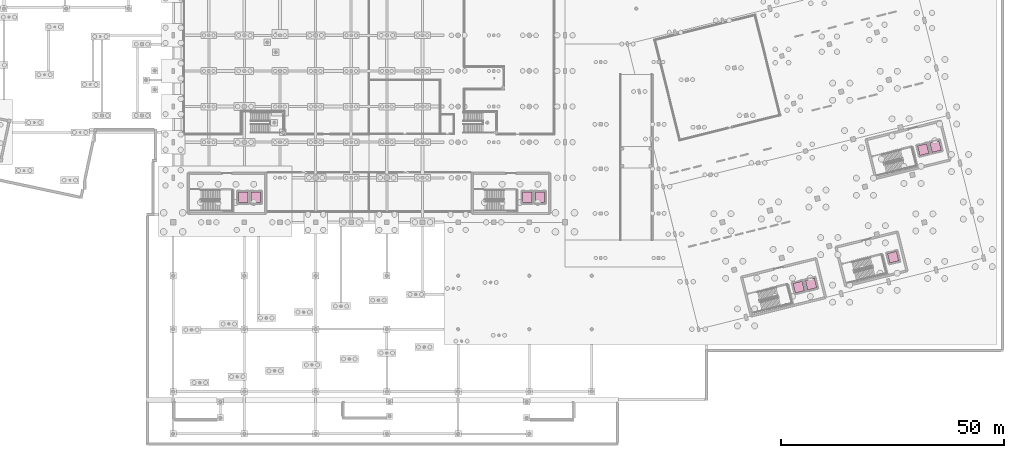
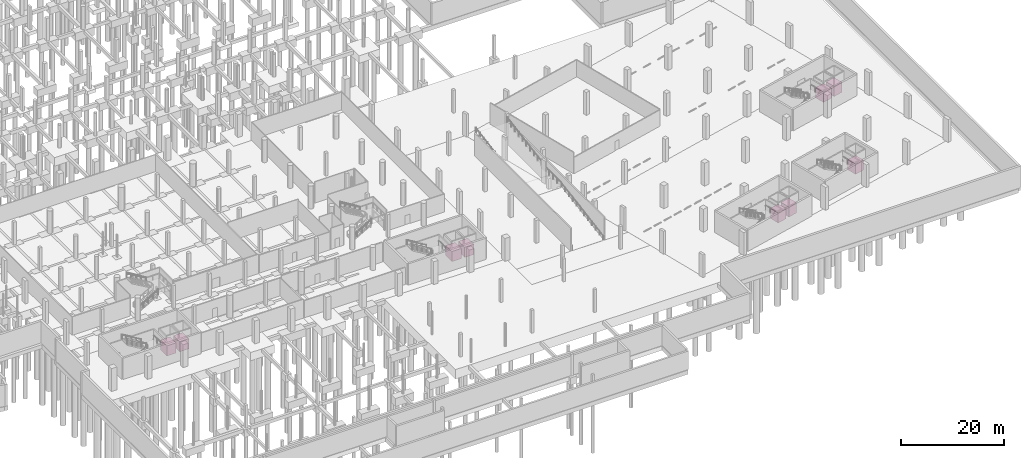
# One storey, part 65 of 65: 9 transport elements.
"""IFC4 building model written with IfcOpenShell, lengths in metres."""

from ifc_helpers import new_model, si_unit, direction, frame, origin, origin_2d, place, context, subcontext, project, spatial, rectangle, extrude, material, type_object, element, save


model = new_model("IFC4")

# Units and contexts
model_context = context("Model", 3, precision=1e-05, world=origin(), true_north=direction((0.0, 1.0)))
body_context = subcontext(model_context, "Body", "Model", "MODEL_VIEW")
ifc_project = project(units=[si_unit("LENGTHUNIT", "METRE"), si_unit("AREAUNIT", "SQUARE_METRE"), si_unit("VOLUMEUNIT", "CUBIC_METRE"), si_unit("PLANEANGLEUNIT", "RADIAN"), si_unit("MASSUNIT", "GRAM", prefix="KILO")], contexts=[model_context])

# Site, building, storey
site_placement = place(None, origin())
site = spatial("IfcSite", under=ifc_project, at=site_placement, CompositionType="ELEMENT")
building_placement = place(site_placement, origin())
building = spatial("IfcBuilding", under=site, at=building_placement, Name="Khorjan Park Terminus", CompositionType="ELEMENT")
storey_placement = place(building_placement, frame((0.0, 0.0, -5.4)))
storey = spatial("IfcBuildingStorey", under=building, at=storey_placement, Name="B1", CompositionType="ELEMENT", Elevation=-5.4)

# Transport elements
ifc_material_1 = material(Name="Fire-Rated Stainless Steel", Category="steel")
transport_element_type_1 = type_object("IfcTransportElementType", Name="LFT-FF-2000", PredefinedType="ELEVATOR", material=ifc_material_1)
for number, where, z_axis, x_axis, name in (
    (1, (188.5012, 11.4543, 0.0), (0.0, 0.0, 1.0), (0.970295726276, 0.2419218956, 0.0), "Firefighting lift car L05"),
    (2, (216.4609, 42.3357, 0.0), (0.0, 0.0, 1.0), (0.970295726276, 0.2419218956, 0.0), "Firefighting lift car L07"),
):
    element("IfcTransportElement", number, at=place(storey_placement, frame(where, z_axis=z_axis, x_axis=x_axis)), inside=storey, type_object=transport_element_type_1, Name=name, PredefinedType="ELEVATOR", context=body_context, shape_type="SweptSolid", body=[
        extrude(rectangle(XDim=2.1, YDim=2.2, at=origin_2d()), origin(), (0.0, 0.0, 1.0), 2.4),
    ])
ifc_material_2 = material(Name="Stainless Steel & Laminated Glass", Category="steel")
transport_element_type_2 = type_object("IfcTransportElementType", Name="LFT-PAX-2000", PredefinedType="ELEVATOR", material=ifc_material_2)
for number, where, z_axis, x_axis, name in (
    (3, (63.72, 31.63, 0.0), (0.0, 0.0, 1.0), (1.0, 0.0, 0.0), "Passenger lift car L01"),
    (4, (66.58, 31.63, 0.0), (0.0, 0.0, 1.0), (1.0, 0.0, 0.0), "Passenger lift car L02"),
    (5, (127.52, 31.63, 0.0), (0.0, 0.0, 1.0), (1.0, 0.0, 0.0), "Passenger lift car L03"),
    (6, (130.38, 31.63, 0.0), (0.0, 0.0, 1.0), (1.0, 0.0, 0.0), "Passenger lift car L04"),
):
    element("IfcTransportElement", number, at=place(storey_placement, frame(where, z_axis=z_axis, x_axis=x_axis)), inside=storey, type_object=transport_element_type_2, Name=name, PredefinedType="ELEVATOR", context=body_context, shape_type="SweptSolid", body=[
        extrude(rectangle(XDim=2.1, YDim=2.4, at=origin_2d()), origin(), (0.0, 0.0, 1.0), 2.4),
    ])
for number, where, z_axis, x_axis, name in (
    (7, (191.2762, 12.1462, 0.0), (0.0, 0.0, 1.0), (0.970295726276, 0.2419218956, 0.0), "Passenger lift car L06"),
    (8, (219.2359, 43.0276, 0.0), (0.0, 0.0, 1.0), (0.970295726276, 0.2419218956, 0.0), "Passenger lift car L08"),
    (9, (209.7031, 18.1834, 0.0), (0.0, 0.0, 1.0), (0.970295726276, 0.2419218956, 0.0), "Passenger lift car L12"),
):
    element("IfcTransportElement", number, at=place(storey_placement, frame(where, z_axis=z_axis, x_axis=x_axis)), inside=storey, type_object=transport_element_type_2, Name=name, PredefinedType="ELEVATOR", context=body_context, shape_type="SweptSolid", body=[
        extrude(rectangle(XDim=2.1, YDim=2.2, at=origin_2d()), origin(), (0.0, 0.0, 1.0), 2.4),
    ])

save(model, "model.ifc")
